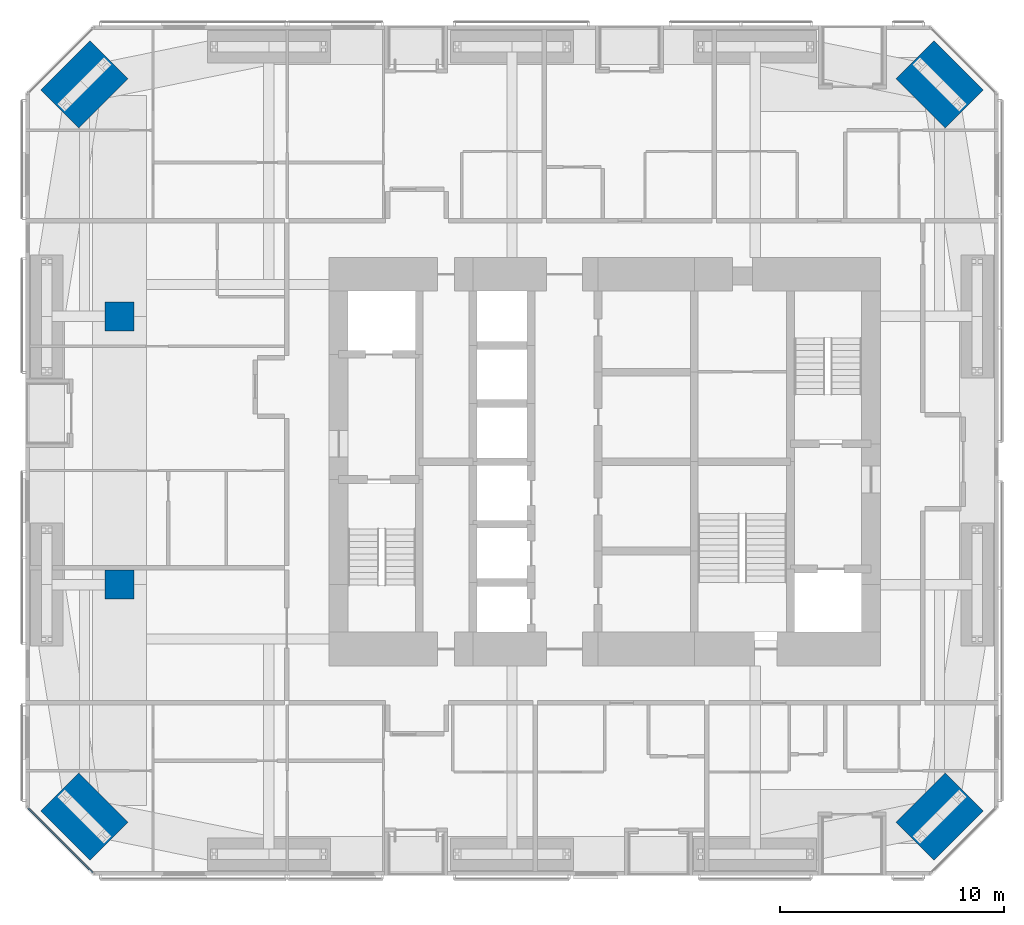
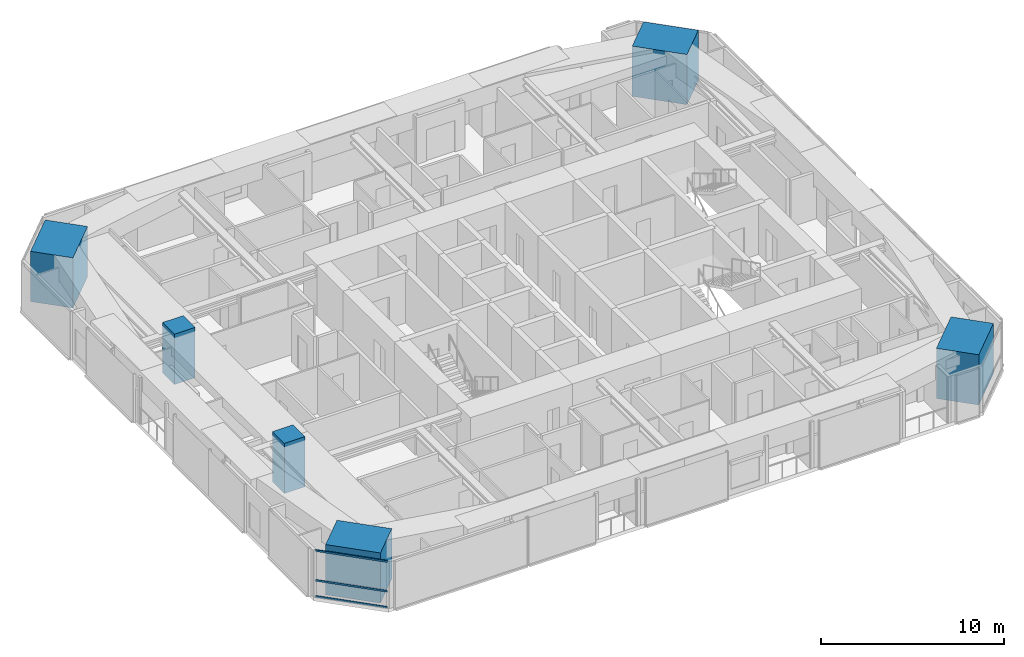
# One storey, part 1 of 25: 6 columns, 3 members, 1 element without a shape of its own.
"""IFC4 building model written with IfcOpenShell, lengths in metres."""

from ifc_helpers import new_model, si_unit, direction, frame, origin, origin_2d, place, context, subcontext, project, spatial, rectangle, extrude, material, material_profile, profile_set, type_object, element, aggregate, save


model = new_model("IFC4")

# Units and contexts
model_context = context("Model", 3, precision=1e-05, world=origin(), true_north=direction((0.0, 1.0)))
body_context = subcontext(model_context, "Body", "Model", "MODEL_VIEW")
ifc_project = project(units=[si_unit("LENGTHUNIT", "METRE"), si_unit("AREAUNIT", "SQUARE_METRE"), si_unit("VOLUMEUNIT", "CUBIC_METRE"), si_unit("PLANEANGLEUNIT", "RADIAN"), si_unit("MASSUNIT", "GRAM", prefix="KILO")], contexts=[model_context])

# Site, building, storey
site_placement = place(None, origin())
site = spatial("IfcSite", under=ifc_project, at=site_placement, CompositionType="ELEMENT")
building_placement = place(site_placement, origin())
building = spatial("IfcBuilding", under=site, at=building_placement, Name="Jalousie Tower", CompositionType="ELEMENT")
storey_placement = place(building_placement, frame((0.0, 0.0, 101.5)))
storey = spatial("IfcBuildingStorey", under=building, at=storey_placement, Name="L27", CompositionType="ELEMENT", Elevation=101.5)

# Columns
ifc_material_1 = material(Name="Concrete f'c 120 MPa", Category="concrete")
ifc_material_profile_1 = material_profile(ifc_material_1, rectangle(XDim=1.300048828125, YDim=1.300048828125, at=origin_2d()), Name="RC 1300x1300")
ifc_profile_set_1 = profile_set([ifc_material_profile_1], Name="Concrete f'c 120 MPa")
column_type_1 = type_object("IfcColumnType", Name="RC COLUMN 1300x1300", PredefinedType="COLUMN", material=ifc_profile_set_1)
for number, where, z_axis, x_axis, name in (
    (1, (10.199951171875, 13.0, 0.0), (0.0, 0.0, 1.0), (1.0, 0.0, 0.0), "Interior column IB1 L27"),
    (2, (10.199951171875, 25.0, 0.0), (0.0, 0.0, 1.0), (1.0, 0.0, 0.0), "Interior column IB2 L27"),
):
    element("IfcColumn", number, at=place(storey_placement, frame(where, z_axis=z_axis, x_axis=x_axis)), inside=storey, type_object=column_type_1, Name=name, PredefinedType="COLUMN", context=body_context, shape_type="SweptSolid", body=[
        extrude(rectangle(XDim=1.300048828125, YDim=1.300048828125, at=origin_2d()), origin(), (0.0, 0.0, 1.0), 3.35009765625),
    ])
ifc_material_2 = material(Name="Concrete f'c 120 MPa", Category="concrete")
ifc_material_profile_2 = material_profile(ifc_material_2, rectangle(XDim=2.39990234375, YDim=3.10009765625, at=origin_2d()), Name="RC 2400x3100")
ifc_profile_set_2 = profile_set([ifc_material_profile_2], Name="Concrete f'c 120 MPa")
column_type_2 = type_object("IfcColumnType", Name="RC CORNER COLUMN 2400x3100", PredefinedType="COLUMN", material=ifc_profile_set_2)
for number, where, z_axis, x_axis, name in (
    (3, (8.63134765625, 2.63134765625, 0.0), (0.0, 0.0, 1.0), (0.707106781187, 0.707106781187, 0.0), "Corner column 01 L27"),
    (4, (46.86865234375, 2.63134765625, 0.0), (0.0, 0.0, 1.0), (-0.707106781187, 0.707106781187, 0.0), "Corner column 05 L27"),
    (5, (46.86865234375, 35.36865234375, 0.0), (0.0, 0.0, 1.0), (-0.707106781187, -0.707106781187, 0.0), "Corner column 08 L27"),
    (6, (8.63134765625, 35.36865234375, 0.0), (0.0, 0.0, 1.0), (0.707106781187, -0.707106781187, 0.0), "Corner column 12 L27"),
):
    element("IfcColumn", number, at=place(storey_placement, frame(where, z_axis=z_axis, x_axis=x_axis)), inside=storey, type_object=column_type_2, Name=name, PredefinedType="COLUMN", context=body_context, shape_type="SweptSolid", body=[
        extrude(rectangle(XDim=2.39990234375, YDim=3.10009765625, at=origin_2d()), origin(), (0.0, 0.0, 1.0), 3.35009765625),
    ])

# Curtain wall, members
ifc_material_3 = material(Name="Aluminium curtain wall", Category="aluminium")
curtain_wall_type = type_object("IfcCurtainWallType", Name="CORNER WINDOW WALL", PredefinedType="USERDEFINED", material=ifc_material_3)
curtain_wall_placement = place(storey_placement, origin())
curtain_wall = element("IfcCurtainWall", 7, at=curtain_wall_placement, inside=storey, type_object=curtain_wall_type, Name="Corner Window Wall L27 8", ObjectType="CORNER WINDOW WALL", PredefinedType="USERDEFINED")
ifc_material_4 = material(Name="Aluminium transom", Category="aluminium")
ifc_material_profile_3 = material_profile(ifc_material_4, rectangle(XDim=0.06005859375, YDim=0.1201171875, at=origin_2d()), Name="TRANSOM 60x120")
ifc_profile_set_3 = profile_set([ifc_material_profile_3], Name="Aluminium transom")
member_type = type_object("IfcMemberType", Name="CORNER WINDOW WALL TRANSOM", PredefinedType="USERDEFINED", material=ifc_profile_set_3)
member_1_placement = place(storey_placement, frame((6.1298828125, 3.0087890625, 0.030029296875), z_axis=(0.707106781187, -0.707106781187, 0.0), x_axis=(0.707106781187, 0.707106781187, 0.0)))
member_1 = element("IfcMember", 8, at=member_1_placement, type_object=member_type, Name="CW-C transom 1.1", ObjectType="TRANSOM", PredefinedType="USERDEFINED", context=body_context, shape_type="SweptSolid", body=[
    extrude(rectangle(XDim=0.06005859375, YDim=0.1201171875, at=origin_2d()), origin(), (0.0, 0.0, 1.0), 4.0712890625),
])
member_2_placement = place(storey_placement, frame((6.1298828125, 3.0087890625, 1.10009765625), z_axis=(0.707106781187, -0.707106781187, 0.0), x_axis=(0.707106781187, 0.707106781187, 0.0)))
member_2 = element("IfcMember", 9, at=member_2_placement, type_object=member_type, Name="CW-C transom 1.2", ObjectType="TRANSOM", PredefinedType="USERDEFINED", context=body_context, shape_type="SweptSolid", body=[
    extrude(rectangle(XDim=0.06005859375, YDim=0.1201171875, at=origin_2d()), origin(), (0.0, 0.0, 1.0), 4.0712890625),
])
member_3_placement = place(storey_placement, frame((6.1298828125, 3.0087890625, 3.080078125), z_axis=(0.707106781187, -0.707106781187, 0.0), x_axis=(0.707106781187, 0.707106781187, 0.0)))
member_3 = element("IfcMember", 10, at=member_3_placement, type_object=member_type, Name="CW-C transom 1.3", ObjectType="TRANSOM", PredefinedType="USERDEFINED", context=body_context, shape_type="SweptSolid", body=[
    extrude(rectangle(XDim=0.06005859375, YDim=0.1201171875, at=origin_2d()), origin(), (0.0, 0.0, 1.0), 4.0712890625),
])
aggregate(curtain_wall, [member_1, member_2, member_3])

save(model, "model.ifc")
